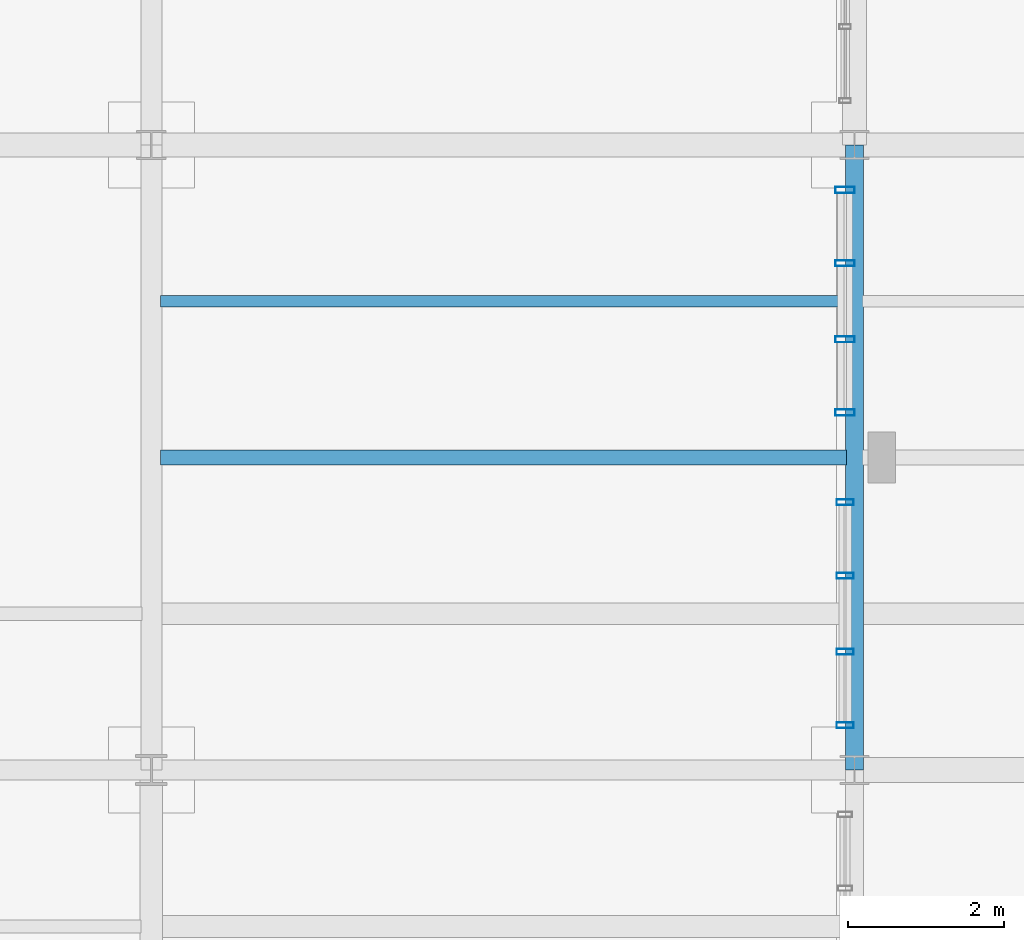
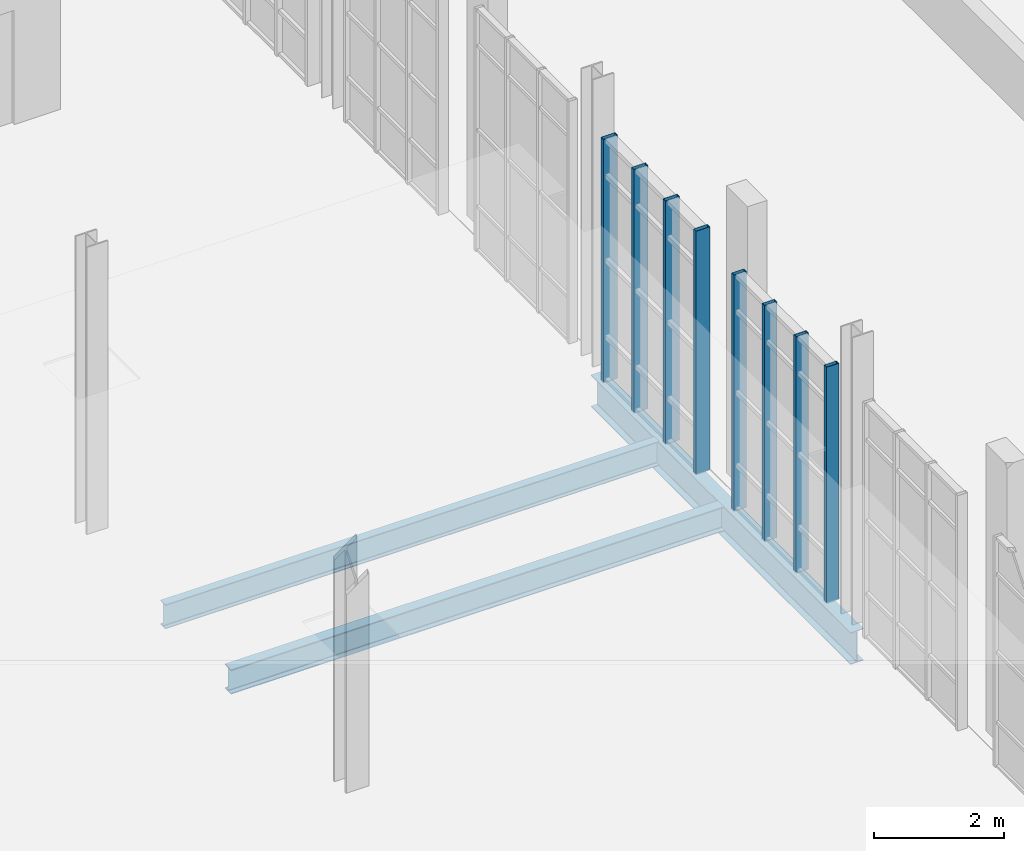
# One storey, part 74 of 142: 8 members, 3 beams, 2 elements without a shape of their own.
"""IFC4 building model written with IfcOpenShell, lengths in metres."""

from ifc_helpers import new_model, si_unit, direction, frame, origin, origin_2d, place, context, subcontext, project, spatial, hollow_rectangle, i_section, extrude, material, layer, layer_set, material_profile, profile_set, type_object, element, aggregate, save


model = new_model("IFC4")

# Units and contexts
model_context = context("Model", 3, precision=1e-05, world=origin(), true_north=direction((0.0, 1.0)))
body_context = subcontext(model_context, "Body", "Model", "MODEL_VIEW")
ifc_project = project(units=[si_unit("LENGTHUNIT", "METRE"), si_unit("AREAUNIT", "SQUARE_METRE"), si_unit("VOLUMEUNIT", "CUBIC_METRE"), si_unit("PLANEANGLEUNIT", "RADIAN"), si_unit("MASSUNIT", "GRAM", prefix="KILO"), si_unit("THERMODYNAMICTEMPERATUREUNIT", "KELVIN"), si_unit("POWERUNIT", "WATT")], contexts=[model_context])

# Site, building, storey
site_placement = place(None, origin())
site = spatial("IfcSite", under=ifc_project, at=site_placement, CompositionType="ELEMENT")
building_placement = place(site_placement, origin())
building = spatial("IfcBuilding", under=site, at=building_placement, Name="Zelmaris Science Centre", CompositionType="ELEMENT")
storey_placement = place(building_placement, frame((0.0, 0.0, 5.39990234375)))
storey = spatial("IfcBuildingStorey", under=building, at=storey_placement, Name="L01", CompositionType="ELEMENT", Elevation=5.39990234375)

# Curtain wall, members
ifc_material_1 = material(Name="Anodised architectural aluminium 6063-T6", Category="aluminium")
ifc_layer_1 = layer(ifc_material_1, 0.199951171875, Name="Anodised architectural aluminium 6063-T6")
ifc_layer_set_1 = layer_set([ifc_layer_1], Name="Anodised architectural aluminium 6063-T6")
curtain_wall_type_1 = type_object("IfcCurtainWallType", Name="Curtain Wall CW-02", PredefinedType="USERDEFINED", material=ifc_layer_set_1)
curtain_wall_1_placement = place(storey_placement, origin())
curtain_wall_1 = element("IfcCurtainWall", 1, at=curtain_wall_1_placement, inside=storey, type_object=curtain_wall_type_1, Name="L01 Unitised curtain wall 158", ObjectType="GLAZED CURTAIN WALL", PredefinedType="USERDEFINED")
ifc_material_profile_1 = material_profile(ifc_material_1, hollow_rectangle(XDim=0.074951171875, YDim=0.219970703125, WallThickness=0.0048828125, at=origin_2d()), Name="ALU-MUL-75X220")
ifc_profile_set_1 = profile_set([ifc_material_profile_1], Name="Anodised architectural aluminium 6063-T6")
member_type_1 = type_object("IfcMemberType", Name="ALU-MUL-75X220", PredefinedType="MULLION", material=ifc_profile_set_1)
member_1_placement = place(storey_placement, frame((143.8798828125, 19.426513671875, -0.014892578125), z_axis=(0.0, 0.0, 1.0), x_axis=(0.0, -1.0, 0.0)))
member_1 = element("IfcMember", 2, at=member_1_placement, type_object=member_type_1, Name="CW-02 mullion 1", PredefinedType="MULLION", context=body_context, shape_type="SweptSolid", body=[
    extrude(hollow_rectangle(XDim=0.074951171875, YDim=0.219970703125, WallThickness=0.0048828125, at=origin_2d()), origin(), (0.0, 0.0, 1.0), 4.44189453125),
])
member_2_placement = place(storey_placement, frame((143.8798828125, 18.486572265625, -0.014892578125), z_axis=(0.0, 0.0, 1.0), x_axis=(0.0, -1.0, 0.0)))
member_2 = element("IfcMember", 3, at=member_2_placement, type_object=member_type_1, Name="CW-02 mullion 2", PredefinedType="MULLION", context=body_context, shape_type="SweptSolid", body=[
    extrude(hollow_rectangle(XDim=0.074951171875, YDim=0.219970703125, WallThickness=0.0048828125, at=origin_2d()), origin(), (0.0, 0.0, 1.0), 4.44189453125),
])
member_3_placement = place(storey_placement, frame((143.8798828125, 17.513427734375, -0.014892578125), z_axis=(0.0, 0.0, 1.0), x_axis=(0.0, -1.0, 0.0)))
member_3 = element("IfcMember", 4, at=member_3_placement, type_object=member_type_1, Name="CW-02 mullion 3", PredefinedType="MULLION", context=body_context, shape_type="SweptSolid", body=[
    extrude(hollow_rectangle(XDim=0.074951171875, YDim=0.219970703125, WallThickness=0.0048828125, at=origin_2d()), origin(), (0.0, 0.0, 1.0), 4.44189453125),
])
member_4_placement = place(storey_placement, frame((143.8798828125, 16.573486328125, -0.014892578125), z_axis=(0.0, 0.0, 1.0), x_axis=(0.0, -1.0, 0.0)))
member_4 = element("IfcMember", 5, at=member_4_placement, type_object=member_type_1, Name="CW-02 mullion 4", PredefinedType="MULLION", context=body_context, shape_type="SweptSolid", body=[
    extrude(hollow_rectangle(XDim=0.074951171875, YDim=0.219970703125, WallThickness=0.0048828125, at=origin_2d()), origin(), (0.0, 0.0, 1.0), 4.44189453125),
])
aggregate(curtain_wall_1, [member_1, member_2, member_3, member_4])

ifc_layer_2 = layer(ifc_material_1, 0.18994140625, Name="Anodised architectural aluminium 6063-T6")
ifc_layer_set_2 = layer_set([ifc_layer_2], Name="Anodised architectural aluminium 6063-T6")
curtain_wall_type_2 = type_object("IfcCurtainWallType", Name="Curtain Wall CW-01", PredefinedType="USERDEFINED", material=ifc_layer_set_2)
curtain_wall_2_placement = place(storey_placement, origin())
curtain_wall_2 = element("IfcCurtainWall", 6, at=curtain_wall_2_placement, inside=storey, type_object=curtain_wall_type_2, Name="L01 Unitised curtain wall 157", ObjectType="GLAZED CURTAIN WALL", PredefinedType="USERDEFINED")
ifc_material_profile_2 = material_profile(ifc_material_1, hollow_rectangle(XDim=0.080078125, YDim=0.25, WallThickness=0.0048828125, at=origin_2d()), Name="ALU-MUL-80X250")
ifc_profile_set_2 = profile_set([ifc_material_profile_2], Name="Anodised architectural aluminium 6063-T6")
member_type_2 = type_object("IfcMemberType", Name="ALU-MUL-80X250", PredefinedType="MULLION", material=ifc_profile_set_2)
member_5_placement = place(storey_placement, frame((143.8798828125, 23.424072265625, -0.014892578125), z_axis=(0.0, 0.0, 1.0), x_axis=(0.0, -1.0, 0.0)))
member_5 = element("IfcMember", 7, at=member_5_placement, type_object=member_type_2, Name="CW-01 mullion 1", PredefinedType="MULLION", context=body_context, shape_type="SweptSolid", body=[
    extrude(hollow_rectangle(XDim=0.080078125, YDim=0.25, WallThickness=0.0048828125, at=origin_2d()), origin(), (0.0, 0.0, 1.0), 4.575927734375),
])
member_6_placement = place(storey_placement, frame((143.8798828125, 22.486572265625, -0.014892578125), z_axis=(0.0, 0.0, 1.0), x_axis=(0.0, -1.0, 0.0)))
member_6 = element("IfcMember", 8, at=member_6_placement, type_object=member_type_2, Name="CW-01 mullion 2", PredefinedType="MULLION", context=body_context, shape_type="SweptSolid", body=[
    extrude(hollow_rectangle(XDim=0.080078125, YDim=0.25, WallThickness=0.0048828125, at=origin_2d()), origin(), (0.0, 0.0, 1.0), 4.575927734375),
])
member_7_placement = place(storey_placement, frame((143.8798828125, 21.513427734375, -0.014892578125), z_axis=(0.0, 0.0, 1.0), x_axis=(0.0, -1.0, 0.0)))
member_7 = element("IfcMember", 9, at=member_7_placement, type_object=member_type_2, Name="CW-01 mullion 3", PredefinedType="MULLION", context=body_context, shape_type="SweptSolid", body=[
    extrude(hollow_rectangle(XDim=0.080078125, YDim=0.25, WallThickness=0.0048828125, at=origin_2d()), origin(), (0.0, 0.0, 1.0), 4.575927734375),
])
member_8_placement = place(storey_placement, frame((143.8798828125, 20.575927734375, -0.014892578125), z_axis=(0.0, 0.0, 1.0), x_axis=(0.0, -1.0, 0.0)))
member_8 = element("IfcMember", 10, at=member_8_placement, type_object=member_type_2, Name="CW-01 mullion 4", PredefinedType="MULLION", context=body_context, shape_type="SweptSolid", body=[
    extrude(hollow_rectangle(XDim=0.080078125, YDim=0.25, WallThickness=0.0048828125, at=origin_2d()), origin(), (0.0, 0.0, 1.0), 4.575927734375),
])
aggregate(curtain_wall_2, [member_5, member_6, member_7, member_8])

# Beams
ifc_material_2 = material(Name="Steel ASTM A992 Grade 50", Category="steel")
ifc_material_profile_3 = material_profile(ifc_material_2, i_section(OverallWidth=0.22900390625, OverallDepth=0.60205078125, WebThickness=0.010498046875, FlangeThickness=0.014892578125, FilletRadius=0.014892578125, at=origin_2d()), Name="W24X68")
ifc_profile_set_3 = profile_set([ifc_material_profile_3], Name="Steel ASTM A992 Grade 50")
beam_type_1 = type_object("IfcBeamType", Name="Beam G-17 W24X68", PredefinedType="BEAM", material=ifc_profile_set_3)
beam_1_placement = place(storey_placement, frame((144.0, 16.0, -0.580810546875), z_axis=(0.0, 1.0, 0.0), x_axis=(-1.0, 0.0, 0.0)))
element("IfcBeam", 11, at=beam_1_placement, inside=storey, type_object=beam_type_1, Name="L01 North-south girder 320", PredefinedType="BEAM", context=body_context, shape_type="SweptSolid", body=[
    extrude(i_section(OverallWidth=0.22900390625, OverallDepth=0.60205078125, WebThickness=0.010498046875, FlangeThickness=0.014892578125, FilletRadius=0.014892578125, at=origin_2d()), origin(), (0.0, 0.0, 1.0), 8.0),
])
ifc_material_profile_4 = material_profile(ifc_material_2, i_section(OverallWidth=0.19091796875, OverallDepth=0.4599609375, WebThickness=0.010009765625, FlangeThickness=0.01611328125, FilletRadius=0.012939453125, at=origin_2d()), Name="W18X55")
ifc_profile_set_4 = profile_set([ifc_material_profile_4], Name="Steel ASTM A992 Grade 50")
beam_type_2 = type_object("IfcBeamType", Name="Beam J-04 W18X55", PredefinedType="JOIST", material=ifc_profile_set_4)
beam_2_placement = place(storey_placement, frame((135.118408203125, 20.0, -0.510009765625), z_axis=(1.0, 0.0, 0.0), x_axis=(0.0, 1.0, 0.0)))
element("IfcBeam", 12, at=beam_2_placement, inside=storey, type_object=beam_type_2, Name="L01 Composite floor joist 201", PredefinedType="JOIST", context=body_context, shape_type="SweptSolid", body=[
    extrude(i_section(OverallWidth=0.19091796875, OverallDepth=0.4599609375, WebThickness=0.010009765625, FlangeThickness=0.01611328125, FilletRadius=0.012939453125, at=origin_2d()), origin(), (0.0, 0.0, 1.0), 8.781982421875),
])
ifc_material_profile_5 = material_profile(ifc_material_2, i_section(OverallWidth=0.152099609375, OverallDepth=0.455078125, WebThickness=0.008056640625, FlangeThickness=0.01318359375, FilletRadius=0.012939453125, at=origin_2d()), Name="W18X40")
ifc_profile_set_5 = profile_set([ifc_material_profile_5], Name="Steel ASTM A992 Grade 50")
beam_type_3 = type_object("IfcBeamType", Name="Beam J-05 W18X40", PredefinedType="JOIST", material=ifc_profile_set_5)
beam_3_placement = place(storey_placement, frame((135.118408203125, 22.0, -0.50732421875), z_axis=(1.0, 0.0, 0.0), x_axis=(0.0, 1.0, 0.0)))
element("IfcBeam", 13, at=beam_3_placement, inside=storey, type_object=beam_type_3, Name="L01 Composite floor joist 202", PredefinedType="JOIST", context=body_context, shape_type="SweptSolid", body=[
    extrude(i_section(OverallWidth=0.152099609375, OverallDepth=0.455078125, WebThickness=0.008056640625, FlangeThickness=0.01318359375, FilletRadius=0.012939453125, at=origin_2d()), origin(), (0.0, 0.0, 1.0), 8.781982421875),
])

save(model, "model.ifc")
